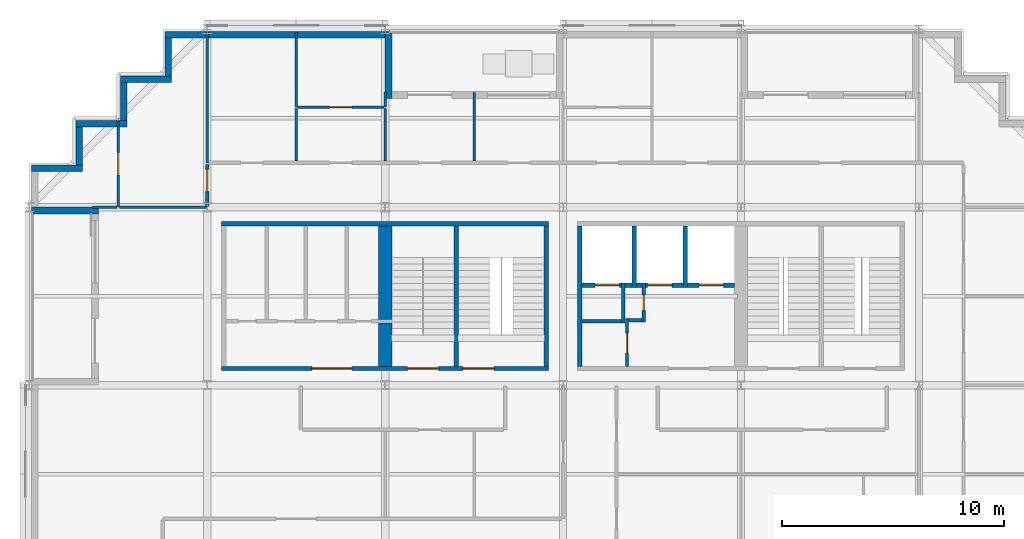
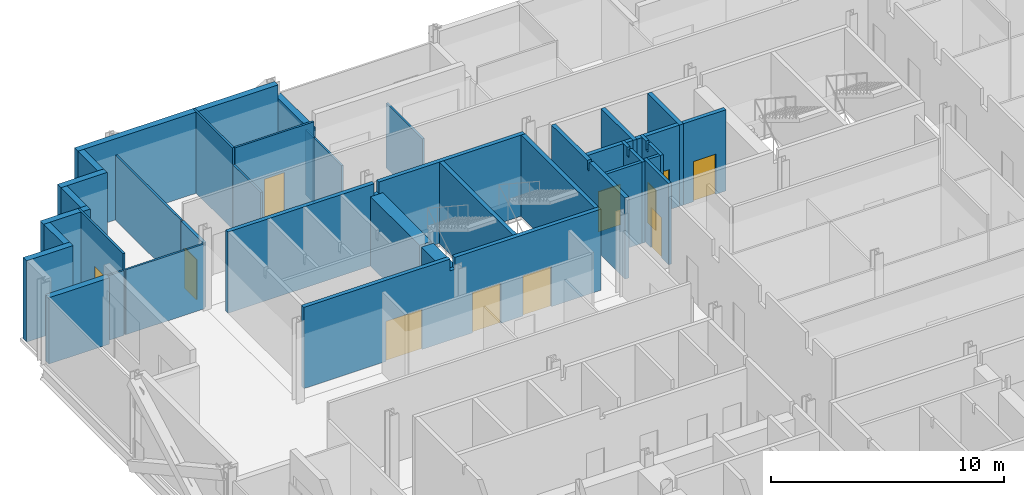
# One storey, part 9 of 15: 39 walls, 11 doors, 11 openings.
"""IFC4 building model written with IfcOpenShell, lengths in metres."""

from ifc_helpers import new_model, si_unit, direction, frame, frame_2d, origin, place, context, subcontext, project, spatial, polyline, rectangle, outline, extrude, material, layer, layer_set, type_object, element, fill, save


model = new_model("IFC4")

# Units and contexts
model_context = context("Model", 3, precision=1e-05, world=origin(), true_north=direction((0.0, 1.0)))
body_context = subcontext(model_context, "Body", "Model", "MODEL_VIEW")
ifc_project = project(units=[si_unit("LENGTHUNIT", "METRE"), si_unit("AREAUNIT", "SQUARE_METRE"), si_unit("VOLUMEUNIT", "CUBIC_METRE"), si_unit("PLANEANGLEUNIT", "RADIAN"), si_unit("MASSUNIT", "GRAM", prefix="KILO")], contexts=[model_context])

# Site, building, storey
site_placement = place(None, origin())
site = spatial("IfcSite", under=ifc_project, at=site_placement, CompositionType="ELEMENT")
building_placement = place(site_placement, origin())
building = spatial("IfcBuilding", under=site, at=building_placement, Name="Immortelle Media Tower", CompositionType="ELEMENT")
storey_placement = place(building_placement, frame((0.0, 0.0, 61.199951171875)))
storey = spatial("IfcBuildingStorey", under=building, at=storey_placement, Name="L10", CompositionType="ELEMENT", Elevation=61.199951171875)

# Walls
ifc_material_1 = material(Name="Fire-rated gypsum board", Category="gypsum")
ifc_layer_1 = layer(ifc_material_1, 0.02490234375)
ifc_material_2 = material(Name="Steel ASTM A653 SS Gr 50 stud frame with mineral wool", Category="steel")
ifc_layer_2 = layer(ifc_material_2, 0.10009765625)
ifc_layer_3 = layer(ifc_material_1, 0.02490234375)
ifc_layer_set_1 = layer_set([ifc_layer_1, ifc_layer_2, ifc_layer_3], Name="Steel ASTM A653 SS Gr 50 stud frame with mineral wool")
wall_type_1 = type_object("IfcWallType", Name="Core partition 150", PredefinedType="PARTITIONING", material=ifc_layer_set_1)
wall_1_placement = place(storey_placement, frame((24.85009765625, 34.875, 0.0), z_axis=(0.0, 0.0, 1.0), x_axis=(1.0, 0.0, 0.0)))
element("IfcWall", 1, at=wall_1_placement, inside=storey, type_object=wall_type_1, Name="Core partition NE", PredefinedType="PARTITIONING", context=body_context, shape_type="SweptSolid", body=[
    extrude(rectangle(XDim=1.77490234375, YDim=0.14990234375, at=frame_2d((0.887451171875, 0.0))), origin(), (0.0, 0.0, 1.0), 4.25),
])
wall_2_placement = place(storey_placement, frame((26.699951171875, 34.800048828125, 0.0), z_axis=(0.0, 0.0, 1.0), x_axis=(0.0, 1.0, 0.0)))
element("IfcWall", 2, at=wall_2_placement, inside=storey, type_object=wall_type_1, Name="Core partition NE", PredefinedType="PARTITIONING", context=body_context, shape_type="SweptSolid", body=[
    extrude(outline(polyline([(0.0, 0.0), (1.800048828125, 0.0), (1.800048828125, 4.25), (1.281494140625, 4.25), (1.280517578125, 3.7890625), (1.119384765625, 3.7890625), (1.118408203125, 4.25), (0.0, 4.25), (0.0, 0.0)])), frame((0.0, 0.074951171875, 0.0), z_axis=(0.0, -1.0, 0.0), x_axis=(1.0, 0.0, 0.0)), (0.0, 0.0, 1.0), 0.14990234375),
])

# Wall, opening, door
wall_3_placement = place(storey_placement, frame((26.875, 32.85009765625, 0.0), z_axis=(0.0, 0.0, 1.0), x_axis=(0.0, 1.0, 0.0)))
wall_3 = element("IfcWall", 3, at=wall_3_placement, inside=storey, type_object=wall_type_1, Name="Core partition NE", PredefinedType="PARTITIONING", context=body_context, shape_type="SweptSolid", body=[
    extrude(rectangle(XDim=2.14990234375, YDim=0.14990234375, at=frame_2d((1.074951171875, 0.0))), origin(), (0.0, 0.0, 1.0), 4.25),
])
opening_1_placement = place(wall_3_placement, frame((0.60009765625, 0.0, 0.0)))
opening_1 = element("IfcOpeningElement", 4, at=opening_1_placement, cuts=wall_3, Name="Opening N3-K029", PredefinedType="OPENING", context=body_context, shape_type="SweptSolid", body=[
    extrude(rectangle(XDim=0.89990234375, YDim=2.10009765625, at=frame_2d((0.449951171875, 1.050048828125))), frame((0.0, 0.0849609375, 0.0), z_axis=(0.0, -1.0, 0.0), x_axis=(1.0, 0.0, 0.0)), (0.0, 0.0, 1.0), 0.169921875),
])
ifc_material_3 = material(Name="Galvanised steel door leaf and frame ASTM A653", Category="steel")
door_type_1 = type_object("IfcDoorType", Name="Service door 900 x 2100", OperationType="NOTDEFINED", PredefinedType="NOTDEFINED", material=ifc_material_3)
door_1_placement = place(opening_1_placement, origin())
door_1 = element("IfcDoor", 5, at=door_1_placement, inside=storey, type_object=door_type_1, Name="Service N3-K029", OperationType="SINGLE_SWING_RIGHT", OverallHeight=2.10009765625, OverallWidth=0.89990234375, PredefinedType="NOTDEFINED", context=body_context, shape_type="SweptSolid", body=[
    extrude(rectangle(XDim=0.89990234375, YDim=2.10009765625, at=frame_2d((0.449951171875, 1.050048828125))), frame((0.0, 0.02490234375, 0.0), z_axis=(0.0, -1.0, 0.0), x_axis=(1.0, 0.0, 0.0)), (0.0, 0.0, 1.0), 0.050048828125),
])
fill(opening_1, door_1)

# Wall
wall_4_placement = place(storey_placement, frame((26.949951171875, 34.925048828125, 0.0), z_axis=(0.0, 0.0, 1.0), x_axis=(1.0, 0.0, 0.0)))
element("IfcWall", 6, at=wall_4_placement, inside=storey, type_object=wall_type_1, Name="Core partition NE", PredefinedType="PARTITIONING", context=body_context, shape_type="SweptSolid", body=[
    extrude(rectangle(XDim=0.60009765625, YDim=0.14990234375, at=frame_2d((0.300048828125, 0.0))), origin(), (0.0, 0.0, 1.0), 4.25),
])

# Wall, opening, door
wall_5_placement = place(storey_placement, frame((27.625, 34.85009765625, 0.0), z_axis=(0.0, 0.0, 1.0), x_axis=(0.0, 1.0, 0.0)))
wall_5 = element("IfcWall", 7, at=wall_5_placement, inside=storey, type_object=wall_type_1, Name="Core partition NE", PredefinedType="PARTITIONING", context=body_context, shape_type="SweptSolid", body=[
    extrude(outline(polyline([(0.0, 0.0), (1.75, 0.0), (1.75, 4.25), (1.2314453125, 4.25), (1.23046875, 3.7890625), (1.069580078125, 3.7890625), (1.068603515625, 4.25), (0.0, 4.25), (0.0, 0.0)])), frame((0.0, 0.074951171875, 0.0), z_axis=(0.0, -1.0, 0.0), x_axis=(1.0, 0.0, 0.0)), (0.0, 0.0, 1.0), 0.14990234375),
])
opening_2_placement = place(wall_5_placement, frame((0.5, 0.0, 0.0)))
opening_2 = element("IfcOpeningElement", 8, at=opening_2_placement, cuts=wall_5, Name="Opening N3-K030", PredefinedType="OPENING", context=body_context, shape_type="SweptSolid", body=[
    extrude(rectangle(XDim=0.699951171875, YDim=2.10009765625, at=frame_2d((0.35009765625, 1.050048828125))), frame((0.0, 0.0849609375, 0.0), z_axis=(0.0, -1.0, 0.0), x_axis=(1.0, 0.0, 0.0)), (0.0, 0.0, 1.0), 0.169921875),
])
door_type_2 = type_object("IfcDoorType", Name="Service door 700 x 2100", OperationType="NOTDEFINED", PredefinedType="NOTDEFINED", material=ifc_material_3)
door_2_placement = place(opening_2_placement, origin())
door_2 = element("IfcDoor", 9, at=door_2_placement, inside=storey, type_object=door_type_2, Name="Service N3-K030", OperationType="SINGLE_SWING_LEFT", OverallHeight=2.10009765625, OverallWidth=0.699951171875, PredefinedType="NOTDEFINED", context=body_context, shape_type="SweptSolid", body=[
    extrude(rectangle(XDim=0.699951171875, YDim=2.10009765625, at=frame_2d((0.35009765625, 1.050048828125))), frame((0.0, 0.02490234375, 0.0), z_axis=(0.0, -1.0, 0.0), x_axis=(1.0, 0.0, 0.0)), (0.0, 0.0, 1.0), 0.050048828125),
])
fill(opening_2, door_2)

# Wall
ifc_layer_4 = layer(ifc_material_1, 0.03759765625)
ifc_layer_5 = layer(ifc_material_2, 0.125)
ifc_layer_6 = layer(ifc_material_1, 0.03759765625)
ifc_layer_set_2 = layer_set([ifc_layer_4, ifc_layer_5, ifc_layer_6], Name="Steel ASTM A653 SS Gr 50 stud frame with mineral wool")
wall_type_2 = type_object("IfcWallType", Name="Core shaft wall 200", PredefinedType="PARTITIONING", material=ifc_layer_set_2)
wall_6_placement = place(storey_placement, frame((24.75, 32.85009765625, 0.0), z_axis=(0.0, 0.0, 1.0), x_axis=(0.0, 1.0, 0.0)))
element("IfcWall", 10, at=wall_6_placement, inside=storey, type_object=wall_type_2, Name="Core shaft wall NE", PredefinedType="PARTITIONING", context=body_context, shape_type="SweptSolid", body=[
    extrude(outline(polyline([(0.0, 0.0), (6.2998046875, 0.0), (6.300048828125, 4.25), (3.2314453125, 4.25), (3.23046875, 3.7890625), (3.069580078125, 3.7890625), (3.068603515625, 4.25), (0.0, 4.25), (0.0, 0.0)])), frame((0.0, 0.10009765625, 0.0), z_axis=(0.0, -1.0, 0.0), x_axis=(1.0, 0.0, 0.0)), (0.0, 0.0, 1.0), 0.199951171875),
])

# Wall, opening, door
wall_7_placement = place(storey_placement, frame((24.85009765625, 36.5, 0.0), z_axis=(0.0, 0.0, 1.0), x_axis=(1.0, 0.0, 0.0)))
wall_7 = element("IfcWall", 11, at=wall_7_placement, inside=storey, type_object=wall_type_2, Name="Core shaft wall NE", PredefinedType="PARTITIONING", context=body_context, shape_type="SweptSolid", body=[
    extrude(rectangle(XDim=1.77490234375, YDim=0.199951171875, at=frame_2d((0.887451171875, 0.0))), origin(), (0.0, 0.0, 1.0), 4.25),
])
opening_3_placement = place(wall_7_placement, frame((0.574951171875, 0.0, 0.0)))
opening_3 = element("IfcOpeningElement", 12, at=opening_3_placement, cuts=wall_7, Name="Opening LD", PredefinedType="OPENING", context=body_context, shape_type="SweptSolid", body=[
    extrude(rectangle(XDim=1.10009765625, YDim=2.10009765625, at=frame_2d((0.550048828125, 1.050048828125))), frame((0.0, 0.10986328125, 0.0), z_axis=(0.0, -1.0, 0.0), x_axis=(1.0, 0.0, 0.0)), (0.0, 0.0, 1.0), 0.219970703125),
])
ifc_material_4 = material(Name="Stainless steel AISI 304", Category="steel")
door_type_3 = type_object("IfcDoorType", Name="Landing door 1100 x 2100", OperationType="SLIDING_TO_LEFT", PredefinedType="NOTDEFINED", material=ifc_material_4)
door_3_placement = place(opening_3_placement, origin())
door_3 = element("IfcDoor", 13, at=door_3_placement, inside=storey, type_object=door_type_3, Name="Landing door LR1 L10", OperationType="SLIDING_TO_LEFT", OverallHeight=2.10009765625, OverallWidth=1.10009765625, PredefinedType="NOTDEFINED", context=body_context, shape_type="SweptSolid", body=[
    extrude(rectangle(XDim=1.10009765625, YDim=2.10009765625, at=frame_2d((0.550048828125, 1.050048828125))), frame((0.0, 0.02490234375, 0.0), z_axis=(0.0, -1.0, 0.0), x_axis=(1.0, 0.0, 0.0)), (0.0, 0.0, 1.0), 0.050048828125),
])
fill(opening_3, door_3)

# Walls
wall_8_placement = place(storey_placement, frame((26.77490234375, 36.5, 0.0), z_axis=(0.0, 0.0, 1.0), x_axis=(1.0, 0.0, 0.0)))
element("IfcWall", 14, at=wall_8_placement, inside=storey, type_object=wall_type_2, Name="Core shaft wall NE", PredefinedType="PARTITIONING", context=body_context, shape_type="SweptSolid", body=[
    extrude(rectangle(XDim=0.3251953125, YDim=0.199951171875, at=frame_2d((0.16259765625, 0.0))), origin(), (0.0, 0.0, 1.0), 4.25),
])
wall_9_placement = place(storey_placement, frame((27.199951171875, 36.39990234375, 0.0), z_axis=(0.0, 0.0, 1.0), x_axis=(0.0, 1.0, 0.0)))
element("IfcWall", 15, at=wall_9_placement, inside=storey, type_object=wall_type_2, Name="Core shaft wall NE", PredefinedType="PARTITIONING", context=body_context, shape_type="SweptSolid", body=[
    extrude(rectangle(XDim=2.75, YDim=0.199951171875, at=frame_2d((1.375, 0.0))), origin(), (0.0, 0.0, 1.0), 4.25),
])
wall_10_placement = place(storey_placement, frame((27.300048828125, 36.5, 0.0), z_axis=(0.0, 0.0, 1.0), x_axis=(1.0, 0.0, 0.0)))
element("IfcWall", 16, at=wall_10_placement, inside=storey, type_object=wall_type_2, Name="Core shaft wall NE", PredefinedType="PARTITIONING", context=body_context, shape_type="SweptSolid", body=[
    extrude(rectangle(XDim=0.25, YDim=0.199951171875, at=frame_2d((0.125, 0.0))), origin(), (0.0, 0.0, 1.0), 4.25),
])

# Wall, opening, door
wall_11_placement = place(storey_placement, frame((27.699951171875, 36.5, 0.0), z_axis=(0.0, 0.0, 1.0), x_axis=(1.0, 0.0, 0.0)))
wall_11 = element("IfcWall", 17, at=wall_11_placement, inside=storey, type_object=wall_type_2, Name="Core shaft wall NE", PredefinedType="PARTITIONING", context=body_context, shape_type="SweptSolid", body=[
    extrude(rectangle(XDim=1.699951171875, YDim=0.199951171875, at=frame_2d((0.85009765625, 0.0))), origin(), (0.0, 0.0, 1.0), 4.25),
])
opening_4_placement = place(wall_11_placement, frame((0.10009765625, 0.0, 0.0)))
opening_4 = element("IfcOpeningElement", 18, at=opening_4_placement, cuts=wall_11, Name="Opening LD", PredefinedType="OPENING", context=body_context, shape_type="SweptSolid", body=[
    extrude(rectangle(XDim=1.10009765625, YDim=2.10009765625, at=frame_2d((0.550048828125, 1.050048828125))), frame((0.0, 0.10986328125, 0.0), z_axis=(0.0, -1.0, 0.0), x_axis=(1.0, 0.0, 0.0)), (0.0, 0.0, 1.0), 0.219970703125),
])
door_4_placement = place(opening_4_placement, origin())
door_4 = element("IfcDoor", 19, at=door_4_placement, inside=storey, type_object=door_type_3, Name="Landing door LR2 L10", OperationType="SLIDING_TO_LEFT", OverallHeight=2.10009765625, OverallWidth=1.10009765625, PredefinedType="NOTDEFINED", context=body_context, shape_type="SweptSolid", body=[
    extrude(rectangle(XDim=1.10009765625, YDim=2.10009765625, at=frame_2d((0.550048828125, 1.050048828125))), frame((0.0, 0.02490234375, 0.0), z_axis=(0.0, -1.0, 0.0), x_axis=(1.0, 0.0, 0.0)), (0.0, 0.0, 1.0), 0.050048828125),
])
fill(opening_4, door_4)

# Wall
wall_12_placement = place(storey_placement, frame((29.5, 36.39990234375, 0.0), z_axis=(0.0, 0.0, 1.0), x_axis=(0.0, 1.0, 0.0)))
element("IfcWall", 20, at=wall_12_placement, inside=storey, type_object=wall_type_2, Name="Core shaft wall NE", PredefinedType="PARTITIONING", context=body_context, shape_type="SweptSolid", body=[
    extrude(rectangle(XDim=2.75, YDim=0.199951171875, at=frame_2d((1.375, 0.0))), origin(), (0.0, 0.0, 1.0), 4.25),
])

# Wall, opening, door
wall_13_placement = place(storey_placement, frame((29.60009765625, 36.5, 0.0), z_axis=(0.0, 0.0, 1.0), x_axis=(1.0, 0.0, 0.0)))
wall_13 = element("IfcWall", 21, at=wall_13_placement, inside=storey, type_object=wall_type_2, Name="Core shaft wall NE", PredefinedType="PARTITIONING", context=body_context, shape_type="SweptSolid", body=[
    extrude(rectangle(XDim=2.099853515625, YDim=0.199951171875, at=frame_2d((1.0498046875, 0.0))), origin(), (0.0, 0.0, 1.0), 4.25),
])
opening_5_placement = place(wall_13_placement, frame((0.5, 0.0, 0.0)))
opening_5 = element("IfcOpeningElement", 22, at=opening_5_placement, cuts=wall_13, Name="Opening LD", PredefinedType="OPENING", context=body_context, shape_type="SweptSolid", body=[
    extrude(rectangle(XDim=1.10009765625, YDim=2.10009765625, at=frame_2d((0.550048828125, 1.050048828125))), frame((0.0, 0.10986328125, 0.0), z_axis=(0.0, -1.0, 0.0), x_axis=(1.0, 0.0, 0.0)), (0.0, 0.0, 1.0), 0.219970703125),
])
door_5_placement = place(opening_5_placement, origin())
door_5 = element("IfcDoor", 23, at=door_5_placement, inside=storey, type_object=door_type_3, Name="Landing door LR3 L10", OperationType="SLIDING_TO_LEFT", OverallHeight=2.10009765625, OverallWidth=1.10009765625, PredefinedType="NOTDEFINED", context=body_context, shape_type="SweptSolid", body=[
    extrude(rectangle(XDim=1.10009765625, YDim=2.10009765625, at=frame_2d((0.550048828125, 1.050048828125))), frame((0.0, 0.02490234375, 0.0), z_axis=(0.0, -1.0, 0.0), x_axis=(1.0, 0.0, 0.0)), (0.0, 0.0, 1.0), 0.050048828125),
])
fill(opening_5, door_5)

ifc_layer_7 = layer(ifc_material_1, 0.012451171875)
ifc_layer_8 = layer(ifc_material_2, 0.125)
ifc_layer_9 = layer(ifc_material_1, 0.012451171875)
ifc_layer_set_3 = layer_set([ifc_layer_7, ifc_layer_8, ifc_layer_9], Name="Steel ASTM A653 SS Gr 50 stud frame with mineral wool")
wall_type_3 = type_object("IfcWallType", Name="Corridor wall 150", PredefinedType="PARTITIONING", material=ifc_layer_set_3)
wall_14_placement = place(storey_placement, frame((8.0, 40.030029296875, 0.0), z_axis=(0.0, 0.0, 1.0), x_axis=(0.0, 1.0, 0.0)))
wall_14 = element("IfcWall", 24, at=wall_14_placement, inside=storey, type_object=wall_type_3, Name="Partition L10-054", PredefinedType="PARTITIONING", context=body_context, shape_type="SweptSolid", body=[
    extrude(rectangle(XDim=1.89501953125, YDim=0.14990234375, at=frame_2d((0.947509765625, 0.0))), origin(), (0.0, 0.0, 1.0), 3.39111328125),
])
opening_6_placement = place(wall_14_placement, frame((0.669921875, 0.0, 0.0)))
opening_6 = element("IfcOpeningElement", 25, at=opening_6_placement, cuts=wall_14, Name="Opening N3-F029", PredefinedType="OPENING", context=body_context, shape_type="SweptSolid", body=[
    extrude(rectangle(XDim=1.0, YDim=2.10009765625, at=frame_2d((0.5, 1.050048828125))), frame((0.0, 0.0849609375, 0.0), z_axis=(0.0, -1.0, 0.0), x_axis=(1.0, 0.0, 0.0)), (0.0, 0.0, 1.0), 0.169921875),
])
ifc_material_5 = material(Name="Timber veneered door leaf, galvanised steel frame ASTM A653", Category="steel")
door_type_4 = type_object("IfcDoorType", Name="Room door 1000 x 2100", OperationType="NOTDEFINED", PredefinedType="DOOR", material=ifc_material_5)
door_6_placement = place(opening_6_placement, origin())
door_6 = element("IfcDoor", 26, at=door_6_placement, inside=storey, type_object=door_type_4, Name="Door N3-F029", OperationType="SINGLE_SWING_LEFT", OverallHeight=2.10009765625, OverallWidth=1.0, PredefinedType="DOOR", context=body_context, shape_type="SweptSolid", body=[
    extrude(rectangle(XDim=1.0, YDim=2.10009765625, at=frame_2d((0.5, 1.050048828125))), frame((0.0, 0.02490234375, 0.0), z_axis=(0.0, -1.0, 0.0), x_axis=(1.0, 0.0, 0.0)), (0.0, 0.0, 1.0), 0.050048828125),
])
fill(opening_6, door_6)

# Walls
ifc_material_6 = material(Name="Pale aluminium cladding panel", Category="aluminium")
ifc_layer_10 = layer(ifc_material_6, 0.030029296875)
ifc_layer_11 = layer(ifc_material_2, 0.257568359375)
ifc_material_7 = material(Name="Moisture-resistant gypsum board", Category="gypsum")
ifc_layer_12 = layer(ifc_material_7, 0.012451171875)
ifc_layer_set_4 = layer_set([ifc_layer_10, ifc_layer_11, ifc_layer_12], Name="Steel ASTM A653 SS Gr 50 stud frame with mineral wool")
wall_type_4 = type_object("IfcWallType", Name="Facade wall 300", PredefinedType="SOLIDWALL", material=ifc_layer_set_4)
wall_15_placement = place(storey_placement, frame((0.10009765625, 39.85009765625, 0.0), z_axis=(0.0, 0.0, 1.0), x_axis=(1.0, 0.0, 0.0)))
element("IfcWall", 27, at=wall_15_placement, inside=storey, type_object=wall_type_4, Name="Loggia cheek wall L10 W", PredefinedType="SOLIDWALL", context=body_context, shape_type="SweptSolid", body=[
    extrude(rectangle(XDim=3.0, YDim=0.300048828125, at=frame_2d((1.5, 0.0))), origin(), (0.0, 0.0, 1.0), 3.468994140625),
])
wall_16_placement = place(storey_placement, frame((16.14990234375, 47.89990234375, 0.0), z_axis=(0.0, 0.0, 1.0), x_axis=(0.0, -1.0, 0.0)))
element("IfcWall", 28, at=wall_16_placement, inside=storey, type_object=wall_type_4, Name="Loggia cheek wall L10 N", PredefinedType="SOLIDWALL", context=body_context, shape_type="SweptSolid", body=[
    extrude(rectangle(XDim=3.0, YDim=0.300048828125, at=frame_2d((1.5, 0.0))), origin(), (0.0, 0.0, 1.0), 3.55615234375),
])
wall_17_placement = place(storey_placement, frame((16.0, 47.75, 0.0), z_axis=(0.0, 0.0, 1.0), x_axis=(-1.0, 0.0, 0.0)))
element("IfcWall", 29, at=wall_17_placement, inside=storey, type_object=wall_type_4, Name="Facade wall L10 N21", PredefinedType="SOLIDWALL", context=body_context, shape_type="SweptSolid", body=[
    extrude(rectangle(XDim=9.89990234375, YDim=0.300048828125, at=frame_2d((4.949951171875, 0.0))), origin(), (0.0, 0.0, 1.0), 4.25),
])
wall_18_placement = place(storey_placement, frame((6.25, 47.60009765625, 0.0), z_axis=(0.0, 0.0, 1.0), x_axis=(0.0, -1.0, 0.0)))
element("IfcWall", 30, at=wall_18_placement, inside=storey, type_object=wall_type_4, Name="Facade wall L10 W22", PredefinedType="SOLIDWALL", context=body_context, shape_type="SweptSolid", body=[
    extrude(rectangle(XDim=1.7001953125, YDim=0.300048828125, at=frame_2d((0.85009765625, 0.0))), origin(), (0.0, 0.0, 1.0), 4.25),
])
wall_19_placement = place(storey_placement, frame((6.39990234375, 45.75, 0.0), z_axis=(0.0, 0.0, 1.0), x_axis=(-1.0, 0.0, 0.0)))
element("IfcWall", 31, at=wall_19_placement, inside=storey, type_object=wall_type_4, Name="Facade wall L10 N23", PredefinedType="SOLIDWALL", context=body_context, shape_type="SweptSolid", body=[
    extrude(rectangle(XDim=2.2998046875, YDim=0.300048828125, at=frame_2d((1.14990234375, 0.0))), origin(), (0.0, 0.0, 1.0), 4.25),
])
wall_20_placement = place(storey_placement, frame((4.25, 45.60009765625, 0.0), z_axis=(0.0, 0.0, 1.0), x_axis=(0.0, -1.0, 0.0)))
element("IfcWall", 32, at=wall_20_placement, inside=storey, type_object=wall_type_4, Name="Facade wall L10 W24", PredefinedType="SOLIDWALL", context=body_context, shape_type="SweptSolid", body=[
    extrude(rectangle(XDim=1.7001953125, YDim=0.300048828125, at=frame_2d((0.85009765625, 0.0))), origin(), (0.0, 0.0, 1.0), 4.25),
])
wall_21_placement = place(storey_placement, frame((4.39990234375, 43.75, 0.0), z_axis=(0.0, 0.0, 1.0), x_axis=(-1.0, 0.0, 0.0)))
element("IfcWall", 33, at=wall_21_placement, inside=storey, type_object=wall_type_4, Name="Facade wall L10 N25", PredefinedType="SOLIDWALL", context=body_context, shape_type="SweptSolid", body=[
    extrude(rectangle(XDim=2.2998046875, YDim=0.300048828125, at=frame_2d((1.14990234375, 0.0))), origin(), (0.0, 0.0, 1.0), 4.25),
])
wall_22_placement = place(storey_placement, frame((2.25, 43.60009765625, 0.0), z_axis=(0.0, 0.0, 1.0), x_axis=(0.0, -1.0, 0.0)))
element("IfcWall", 34, at=wall_22_placement, inside=storey, type_object=wall_type_4, Name="Facade wall L10 W26", PredefinedType="SOLIDWALL", context=body_context, shape_type="SweptSolid", body=[
    extrude(rectangle(XDim=1.7001953125, YDim=0.300048828125, at=frame_2d((0.85009765625, 0.0))), origin(), (0.0, 0.0, 1.0), 4.25),
])
wall_23_placement = place(storey_placement, frame((2.39990234375, 41.75, 0.0), z_axis=(0.0, 0.0, 1.0), x_axis=(-1.0, 0.0, 0.0)))
element("IfcWall", 35, at=wall_23_placement, inside=storey, type_object=wall_type_4, Name="Facade wall L10 N27", PredefinedType="SOLIDWALL", context=body_context, shape_type="SweptSolid", body=[
    extrude(rectangle(XDim=2.2998046875, YDim=0.300048828125, at=frame_2d((1.14990234375, 0.0))), origin(), (0.0, 0.0, 1.0), 4.25),
])
ifc_material_8 = material(Name="Gypsum board", Category="gypsum")
ifc_layer_13 = layer(ifc_material_8, 0.012451171875)
ifc_layer_14 = layer(ifc_material_2, 0.074951171875)
ifc_layer_15 = layer(ifc_material_8, 0.012451171875)
ifc_layer_set_5 = layer_set([ifc_layer_13, ifc_layer_14, ifc_layer_15], Name="Steel ASTM A653 SS Gr 50 stud frame with mineral wool")
wall_type_5 = type_object("IfcWallType", Name="Partition 100", PredefinedType="PARTITIONING", material=ifc_layer_set_5)
wall_24_placement = place(storey_placement, frame((2.830078125, 40.0, 0.0), z_axis=(0.0, 0.0, 1.0), x_axis=(1.0, 0.0, 0.0)))
element("IfcWall", 36, at=wall_24_placement, inside=storey, type_object=wall_type_5, Name="Partition L10-049", PredefinedType="PARTITIONING", context=body_context, shape_type="SweptSolid", body=[
    extrude(rectangle(XDim=1.119873046875, YDim=0.10009765625, at=frame_2d((0.56005859375, 0.0))), origin(), (0.0, 0.0, 1.0), 3.39111328125),
])
wall_25_placement = place(storey_placement, frame((4.050048828125, 40.0, 0.0), z_axis=(0.0, 0.0, 1.0), x_axis=(1.0, 0.0, 0.0)))
element("IfcWall", 37, at=wall_25_placement, inside=storey, type_object=wall_type_5, Name="Partition L10-050", PredefinedType="PARTITIONING", context=body_context, shape_type="SweptSolid", body=[
    extrude(rectangle(XDim=3.919921875, YDim=0.10009765625, at=frame_2d((1.9599609375, 0.0))), origin(), (0.0, 0.0, 1.0), 3.39111328125),
])

# Wall, opening, door
wall_26_placement = place(storey_placement, frame((4.0, 40.0, 0.0), z_axis=(0.0, 0.0, 1.0), x_axis=(0.0, 1.0, 0.0)))
wall_26 = element("IfcWall", 38, at=wall_26_placement, inside=storey, type_object=wall_type_5, Name="Partition L10-051", PredefinedType="PARTITIONING", context=body_context, shape_type="SweptSolid", body=[
    extrude(rectangle(XDim=3.8701171875, YDim=0.10009765625, at=frame_2d((1.93505859375, 0.0))), origin(), (0.0, 0.0, 1.0), 4.25),
])
opening_7_placement = place(wall_26_placement, frame((2.449951171875, 0.0, 0.0), z_axis=(0.0, 0.0, 1.0), x_axis=(-1.0, 0.0, 0.0)))
opening_7 = element("IfcOpeningElement", 39, at=opening_7_placement, cuts=wall_26, Name="Opening N3-F030", PredefinedType="OPENING", context=body_context, shape_type="SweptSolid", body=[
    extrude(rectangle(XDim=1.0, YDim=2.10009765625, at=frame_2d((0.5, 1.050048828125))), frame((0.0, 0.06005859375, 0.0), z_axis=(0.0, -1.0, 0.0), x_axis=(1.0, 0.0, 0.0)), (0.0, 0.0, 1.0), 0.1201171875),
])
door_7_placement = place(opening_7_placement, origin())
door_7 = element("IfcDoor", 40, at=door_7_placement, inside=storey, type_object=door_type_4, Name="Door N3-F030", OperationType="SINGLE_SWING_RIGHT", OverallHeight=2.10009765625, OverallWidth=1.0, PredefinedType="DOOR", context=body_context, shape_type="SweptSolid", body=[
    extrude(rectangle(XDim=1.0, YDim=2.10009765625, at=frame_2d((0.5, 1.050048828125))), frame((0.0, 0.02490234375, 0.0), z_axis=(0.0, -1.0, 0.0), x_axis=(1.0, 0.0, 0.0)), (0.0, 0.0, 1.0), 0.050048828125),
])
fill(opening_7, door_7)

# Walls
wall_27_placement = place(storey_placement, frame((8.0, 42.0, 0.0), z_axis=(0.0, 0.0, 1.0), x_axis=(0.0, 1.0, 0.0)))
element("IfcWall", 41, at=wall_27_placement, inside=storey, type_object=wall_type_5, Name="Partition L10-056", PredefinedType="PARTITIONING", context=body_context, shape_type="SweptSolid", body=[
    extrude(rectangle(XDim=5.8701171875, YDim=0.10009765625, at=frame_2d((2.93505859375, 0.0))), origin(), (0.0, 0.0, 1.0), 3.39111328125),
])
for number, where, z_axis, x_axis, name in (
    (42, (12.0, 42.074951171875, 0.0), (0.0, 0.0, 1.0), (0.0, 1.0, 0.0), "Partition L10-057"),
    (43, (16.0, 42.074951171875, 0.0), (0.0, 0.0, 1.0), (0.0, 1.0, 0.0), "Partition L10-058"),
):
    element("IfcWall", number, at=place(storey_placement, frame(where, z_axis=z_axis, x_axis=x_axis)), inside=storey, type_object=wall_type_5, Name=name, PredefinedType="PARTITIONING", context=body_context, shape_type="SweptSolid", body=[
        extrude(rectangle(XDim=2.375, YDim=0.10009765625, at=frame_2d((1.1875, 0.0))), origin(), (0.0, 0.0, 1.0), 3.39111328125),
    ])
wall_28_placement = place(storey_placement, frame((20.0, 42.074951171875, 0.0), z_axis=(0.0, 0.0, 1.0), x_axis=(0.0, 1.0, 0.0)))
element("IfcWall", 44, at=wall_28_placement, inside=storey, type_object=wall_type_5, Name="Partition L10-059", PredefinedType="PARTITIONING", context=body_context, shape_type="SweptSolid", body=[
    extrude(rectangle(XDim=3.094970703125, YDim=0.10009765625, at=frame_2d((1.54736328125, 0.0))), origin(), (0.0, 0.0, 1.0), 3.39111328125),
])

# Wall, opening, door
wall_29_placement = place(storey_placement, frame((12.050048828125, 44.5, 0.0), z_axis=(0.0, 0.0, 1.0), x_axis=(1.0, 0.0, 0.0)))
wall_29 = element("IfcWall", 45, at=wall_29_placement, inside=storey, type_object=wall_type_5, Name="Partition L10-064", PredefinedType="PARTITIONING", context=body_context, shape_type="SweptSolid", body=[
    extrude(rectangle(XDim=3.89990234375, YDim=0.10009765625, at=frame_2d((1.949951171875, 0.0))), origin(), (0.0, 0.0, 1.0), 4.25),
])
opening_8_placement = place(wall_29_placement, frame((1.449951171875, 0.0, 0.0)))
opening_8 = element("IfcOpeningElement", 46, at=opening_8_placement, cuts=wall_29, Name="Opening N3-F037", PredefinedType="OPENING", context=body_context, shape_type="SweptSolid", body=[
    extrude(rectangle(XDim=1.0, YDim=2.10009765625, at=frame_2d((0.5, 1.050048828125))), frame((0.0, 0.06005859375, 0.0), z_axis=(0.0, -1.0, 0.0), x_axis=(1.0, 0.0, 0.0)), (0.0, 0.0, 1.0), 0.1201171875),
])
door_8_placement = place(opening_8_placement, origin())
door_8 = element("IfcDoor", 47, at=door_8_placement, inside=storey, type_object=door_type_4, Name="Door N3-F037", OperationType="SINGLE_SWING_RIGHT", OverallHeight=2.10009765625, OverallWidth=1.0, PredefinedType="DOOR", context=body_context, shape_type="SweptSolid", body=[
    extrude(rectangle(XDim=1.0, YDim=2.10009765625, at=frame_2d((0.5, 1.050048828125))), frame((0.0, 0.02490234375, 0.0), z_axis=(0.0, -1.0, 0.0), x_axis=(1.0, 0.0, 0.0)), (0.0, 0.0, 1.0), 0.050048828125),
])
fill(opening_8, door_8)

# Walls
wall_30_placement = place(storey_placement, frame((12.0, 44.5, 0.0), z_axis=(0.0, 0.0, 1.0), x_axis=(0.0, 1.0, 0.0)))
element("IfcWall", 48, at=wall_30_placement, inside=storey, type_object=wall_type_5, Name="Partition L10-065", PredefinedType="PARTITIONING", context=body_context, shape_type="SweptSolid", body=[
    extrude(rectangle(XDim=3.3701171875, YDim=0.10009765625, at=frame_2d((1.68505859375, 0.0))), origin(), (0.0, 0.0, 1.0), 4.25),
])
wall_31_placement = place(storey_placement, frame((16.0, 44.5, 0.0), z_axis=(0.0, 0.0, 1.0), x_axis=(0.0, 1.0, 0.0)))
element("IfcWall", 49, at=wall_31_placement, inside=storey, type_object=wall_type_5, Name="Partition L10-066", PredefinedType="PARTITIONING", context=body_context, shape_type="SweptSolid", body=[
    extrude(rectangle(XDim=0.669921875, YDim=0.10009765625, at=frame_2d((0.3349609375, 0.0))), origin(), (0.0, 0.0, 1.0), 3.39111328125),
])

# Wall, openings, doors
ifc_material_9 = material(Name="Concrete C60", Category="concrete")
ifc_layer_16 = layer(ifc_material_9, 0.199951171875)
ifc_layer_set_6 = layer_set([ifc_layer_16], Name="Concrete C60")
wall_type_6 = type_object("IfcWallType", Name="Stair shaft wall 200", PredefinedType="PARTITIONING", material=ifc_layer_set_6)
wall_32_placement = place(storey_placement, frame((8.64990234375, 32.75, 0.0), z_axis=(0.0, 0.0, 1.0), x_axis=(1.0, 0.0, 0.0)))
wall_32 = element("IfcWall", 50, at=wall_32_placement, inside=storey, type_object=wall_type_6, Name="Stair shaft wall NW", PredefinedType="PARTITIONING", context=body_context, shape_type="SweptSolid", body=[
    extrude(outline(polyline([(0.0, 0.0), (14.7001953125, 0.0), (14.699951171875, 4.25), (7.469482421875, 4.25), (7.468505859375, 3.632080078125), (7.2314453125, 3.632080078125), (7.23046875, 4.25), (0.0, 4.25), (0.0, 0.0)])), frame((0.0, 0.10009765625, 0.0), z_axis=(0.0, -1.0, 0.0), x_axis=(1.0, 0.0, 0.0)), (0.0, 0.0, 1.0), 0.199951171875),
])
opening_9_placement = place(wall_32_placement, frame((4.050048828125, 0.0, 0.0)))
opening_9 = element("IfcOpeningElement", 51, at=opening_9_placement, cuts=wall_32, Name="Opening N3-K024", PredefinedType="OPENING", context=body_context, shape_type="SweptSolid", body=[
    extrude(rectangle(XDim=1.800048828125, YDim=2.10009765625, at=frame_2d((0.89990234375, 1.050048828125))), frame((0.0, 0.10986328125, 0.0), z_axis=(0.0, -1.0, 0.0), x_axis=(1.0, 0.0, 0.0)), (0.0, 0.0, 1.0), 0.219970703125),
])
opening_10_placement = place(wall_32_placement, frame((8.35009765625, 0.0, 0.0)))
opening_10 = element("IfcOpeningElement", 52, at=opening_10_placement, cuts=wall_32, Name="Opening N3-K026", PredefinedType="OPENING", context=body_context, shape_type="SweptSolid", body=[
    extrude(rectangle(XDim=1.39990234375, YDim=2.10009765625, at=frame_2d((0.699951171875, 1.050048828125))), frame((0.0, 0.10986328125, 0.0), z_axis=(0.0, -1.0, 0.0), x_axis=(1.0, 0.0, 0.0)), (0.0, 0.0, 1.0), 0.219970703125),
])
opening_11_placement = place(wall_32_placement, frame((10.85009765625, 0.0, 0.0)))
opening_11 = element("IfcOpeningElement", 53, at=opening_11_placement, cuts=wall_32, Name="Opening N3-K027", PredefinedType="OPENING", context=body_context, shape_type="SweptSolid", body=[
    extrude(rectangle(XDim=1.39990234375, YDim=2.10009765625, at=frame_2d((0.699951171875, 1.050048828125))), frame((0.0, 0.10986328125, 0.0), z_axis=(0.0, -1.0, 0.0), x_axis=(1.0, 0.0, 0.0)), (0.0, 0.0, 1.0), 0.219970703125),
])
door_type_5 = type_object("IfcDoorType", Name="Lift lobby door 1800 x 2100", OperationType="DOUBLE_DOOR_SINGLE_SWING", PredefinedType="NOTDEFINED", material=ifc_material_3)
door_9_placement = place(opening_9_placement, origin())
door_9 = element("IfcDoor", 54, at=door_9_placement, inside=storey, type_object=door_type_5, Name="Lift lobby N3-K024", OperationType="DOUBLE_DOOR_SINGLE_SWING", OverallHeight=2.10009765625, OverallWidth=1.800048828125, PredefinedType="NOTDEFINED", context=body_context, shape_type="SweptSolid", body=[
    extrude(rectangle(XDim=1.800048828125, YDim=2.10009765625, at=frame_2d((0.89990234375, 1.050048828125))), frame((0.0, 0.02490234375, 0.0), z_axis=(0.0, -1.0, 0.0), x_axis=(1.0, 0.0, 0.0)), (0.0, 0.0, 1.0), 0.050048828125),
])
fill(opening_9, door_9)
door_type_6 = type_object("IfcDoorType", Name="Stair door 1400 x 2100", OperationType="DOUBLE_DOOR_SINGLE_SWING", PredefinedType="NOTDEFINED", material=ifc_material_3)
door_10_placement = place(opening_10_placement, origin())
door_10 = element("IfcDoor", 55, at=door_10_placement, inside=storey, type_object=door_type_6, Name="Stair N3-K026", OperationType="DOUBLE_DOOR_SINGLE_SWING", OverallHeight=2.10009765625, OverallWidth=1.39990234375, PredefinedType="NOTDEFINED", context=body_context, shape_type="SweptSolid", body=[
    extrude(rectangle(XDim=1.39990234375, YDim=2.10009765625, at=frame_2d((0.699951171875, 1.050048828125))), frame((0.0, 0.02490234375, 0.0), z_axis=(0.0, -1.0, 0.0), x_axis=(1.0, 0.0, 0.0)), (0.0, 0.0, 1.0), 0.050048828125),
])
fill(opening_10, door_10)
door_11_placement = place(opening_11_placement, origin())
door_11 = element("IfcDoor", 56, at=door_11_placement, inside=storey, type_object=door_type_6, Name="Stair N3-K027", OperationType="DOUBLE_DOOR_SINGLE_SWING", OverallHeight=2.10009765625, OverallWidth=1.39990234375, PredefinedType="NOTDEFINED", context=body_context, shape_type="SweptSolid", body=[
    extrude(rectangle(XDim=1.39990234375, YDim=2.10009765625, at=frame_2d((0.699951171875, 1.050048828125))), frame((0.0, 0.02490234375, 0.0), z_axis=(0.0, -1.0, 0.0), x_axis=(1.0, 0.0, 0.0)), (0.0, 0.0, 1.0), 0.050048828125),
])
fill(opening_11, door_11)

# Walls
wall_33_placement = place(storey_placement, frame((8.64990234375, 39.25, 0.0), z_axis=(0.0, 0.0, 1.0), x_axis=(1.0, 0.0, 0.0)))
element("IfcWall", 57, at=wall_33_placement, inside=storey, type_object=wall_type_6, Name="Stair shaft wall NW", PredefinedType="PARTITIONING", context=body_context, shape_type="SweptSolid", body=[
    extrude(outline(polyline([(0.0, 0.0), (14.7001953125, 0.0), (14.699951171875, 4.25), (7.469482421875, 4.25), (7.468505859375, 3.632080078125), (7.2314453125, 3.632080078125), (7.23046875, 4.25), (0.0, 4.25), (0.0, 0.0)])), frame((0.0, 0.10009765625, 0.0), z_axis=(0.0, -1.0, 0.0), x_axis=(1.0, 0.0, 0.0)), (0.0, 0.0, 1.0), 0.199951171875),
])
for number, where, z_axis, x_axis, name in (
    (58, (19.199951171875, 32.85009765625, 0.0), (0.0, 0.0, 1.0), (0.0, 1.0, 0.0), "Stair shaft wall NW"),
    (59, (23.25, 32.85009765625, 0.0), (0.0, 0.0, 1.0), (0.0, 1.0, 0.0), "Stair shaft wall NW"),
):
    element("IfcWall", number, at=place(storey_placement, frame(where, z_axis=z_axis, x_axis=x_axis)), inside=storey, type_object=wall_type_6, Name=name, PredefinedType="PARTITIONING", context=body_context, shape_type="SweptSolid", body=[
        extrude(rectangle(XDim=6.2998046875, YDim=0.199951171875, at=frame_2d((3.14990234375, 0.0))), origin(), (0.0, 0.0, 1.0), 4.25),
    ])
ifc_layer_17 = layer(ifc_material_9, 0.60009765625)
ifc_layer_set_7 = layer_set([ifc_layer_17], Name="Concrete C60")
wall_type_7 = type_object("IfcWallType", Name="Stair shaft wall 600", PredefinedType="PARTITIONING", material=ifc_layer_set_7)
wall_34_placement = place(storey_placement, frame((16.0, 32.85009765625, 0.0), z_axis=(0.0, 0.0, 1.0), x_axis=(0.0, 1.0, 0.0)))
element("IfcWall", 60, at=wall_34_placement, inside=storey, type_object=wall_type_7, Name="Stair shaft wall NW", PredefinedType="PARTITIONING", context=body_context, shape_type="SweptSolid", body=[
    extrude(rectangle(XDim=1.949951171875, YDim=0.60009765625, at=frame_2d((0.97509765625, 0.0))), origin(), (0.0, 0.0, 1.0), 3.632080078125),
])
wall_35_placement = place(storey_placement, frame((16.0, 34.949951171875, 0.0), z_axis=(0.0, 0.0, 1.0), x_axis=(0.0, 1.0, 0.0)))
element("IfcWall", 61, at=wall_35_placement, inside=storey, type_object=wall_type_7, Name="Stair shaft wall NW", PredefinedType="PARTITIONING", context=body_context, shape_type="SweptSolid", body=[
    extrude(rectangle(XDim=4.199951171875, YDim=0.60009765625, at=frame_2d((2.10009765625, 0.0))), origin(), (0.0, 0.0, 1.0), 3.632080078125),
])

save(model, "model.ifc")
